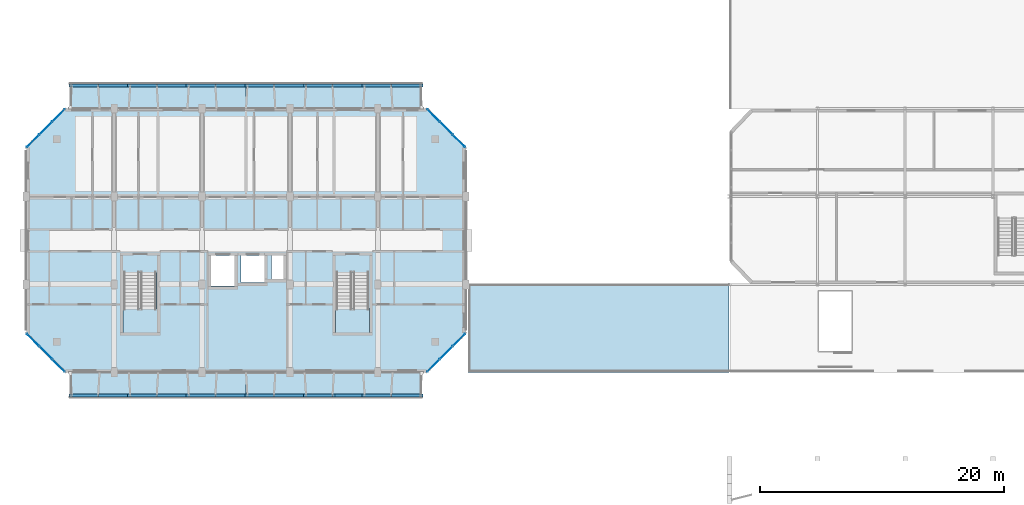
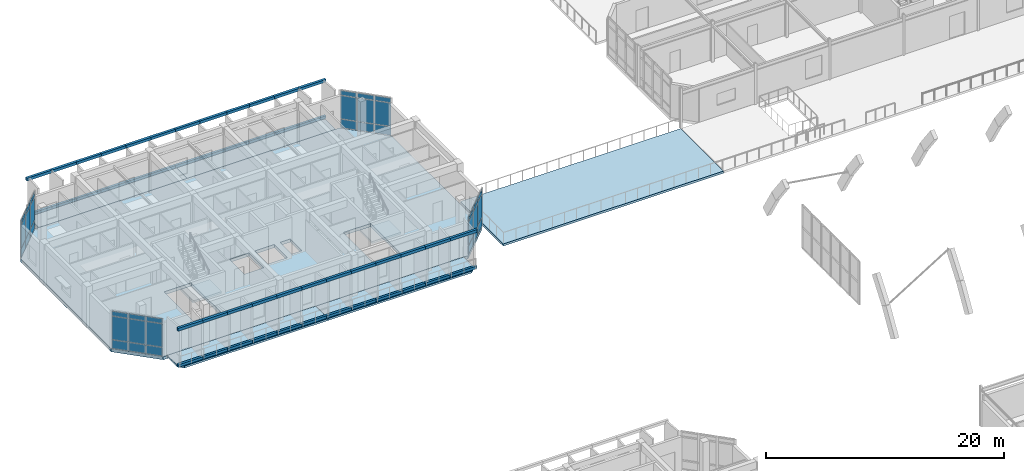
# One storey, part 38 of 85: 84 plates, 8 slabs, 6 elements without a shape of their own.
"""IFC4 building model written with IfcOpenShell, lengths in metres."""

from ifc_helpers import new_model, si_unit, direction, frame, origin, origin_2d, place, context, subcontext, project, spatial, polyline, rectangle, outline, extrude, material, layer, layer_set, type_object, element, aggregate, save


model = new_model("IFC4")

# Units and contexts
model_context = context("Model", 3, precision=1e-05, world=origin(), true_north=direction((0.0, 1.0)))
body_context = subcontext(model_context, "Body", "Model", "MODEL_VIEW")
ifc_project = project(units=[si_unit("LENGTHUNIT", "METRE"), si_unit("AREAUNIT", "SQUARE_METRE"), si_unit("VOLUMEUNIT", "CUBIC_METRE"), si_unit("PLANEANGLEUNIT", "RADIAN"), si_unit("MASSUNIT", "GRAM", prefix="KILO")], contexts=[model_context])

# Site, building, storey
site_placement = place(None, origin())
site = spatial("IfcSite", under=ifc_project, at=site_placement, CompositionType="ELEMENT")
building_placement = place(site_placement, origin())
building = spatial("IfcBuilding", under=site, at=building_placement, Name="Ochrevale Crest", CompositionType="ELEMENT")
storey_placement = place(building_placement, frame((0.0, 0.0, 4.5)))
storey = spatial("IfcBuildingStorey", under=building, at=storey_placement, Name="L01", CompositionType="ELEMENT", Elevation=4.5)

# Curtain wall, plates
ifc_material_1 = material(Name="Anodised aluminium 6063-T5", Category="aluminium")
ifc_layer_1 = layer(ifc_material_1, 0.14990234375)
ifc_layer_set_1 = layer_set([ifc_layer_1], Name="Anodised aluminium 6063-T5")
curtain_wall_type = type_object("IfcCurtainWallType", Name="CW-WG-360x385", PredefinedType="NOTDEFINED", material=ifc_layer_set_1)
curtain_wall_1_placement = place(storey_placement, origin())
curtain_wall_1 = element("IfcCurtainWall", 1, at=curtain_wall_1_placement, inside=storey, type_object=curtain_wall_type, Name="Block B L01 chamfered corner wintergarden curtain wall 2", PredefinedType="NOTDEFINED")
ifc_material_2 = material(Name="Acoustic laminated low-E insulated glass unit", Category="glass")
ifc_layer_2 = layer(ifc_material_2, 0.0380859375)
ifc_layer_set_2 = layer_set([ifc_layer_2], Name="Acoustic laminated low-E insulated glass unit")
plate_type_1 = type_object("IfcPlateType", Name="CW-PNL-IGU38", PredefinedType="CURTAIN_PANEL", material=ifc_layer_set_2)
plate_1_placement = place(storey_placement, frame((33.3466796875, 72.546630859375, 0.06005859375), z_axis=(0.0, 0.0, 1.0), x_axis=(0.707106781187, 0.707106781187, 0.0)))
plate_1 = element("IfcPlate", 2, at=plate_1_placement, type_object=plate_type_1, Name="CW20 panel 1.1", PredefinedType="CURTAIN_PANEL", context=body_context, shape_type="SweptSolid", body=[
    extrude(rectangle(XDim=1.39599609375, YDim=0.0380859375, at=origin_2d()), origin(), (0.0, 0.0, 1.0), 0.860107421875),
])
plate_2_placement = place(storey_placement, frame((33.3466796875, 72.546630859375, 0.97998046875), z_axis=(0.0, 0.0, 1.0), x_axis=(0.707106781187, 0.707106781187, 0.0)))
plate_2 = element("IfcPlate", 3, at=plate_2_placement, type_object=plate_type_1, Name="CW20 panel 1.2", PredefinedType="CURTAIN_PANEL", context=body_context, shape_type="SweptSolid", body=[
    extrude(rectangle(XDim=1.39599609375, YDim=0.0380859375, at=origin_2d()), origin(), (0.0, 0.0, 1.0), 2.364990234375),
])
plate_3_placement = place(storey_placement, frame((33.3466796875, 72.546630859375, 3.405029296875), z_axis=(0.0, 0.0, 1.0), x_axis=(0.707106781187, 0.707106781187, 0.0)))
plate_3 = element("IfcPlate", 4, at=plate_3_placement, type_object=plate_type_1, Name="CW20 panel 1.3", PredefinedType="CURTAIN_PANEL", context=body_context, shape_type="SweptSolid", body=[
    extrude(rectangle(XDim=1.39599609375, YDim=0.0380859375, at=origin_2d()), origin(), (0.0, 0.0, 1.0), 0.4599609375),
])
plate_4_placement = place(storey_placement, frame((34.39990234375, 73.60009765625, 0.06005859375), z_axis=(0.0, 0.0, 1.0), x_axis=(0.707106781187, 0.707106781187, 0.0)))
plate_4 = element("IfcPlate", 5, at=plate_4_placement, type_object=plate_type_1, Name="CW20 panel 2.1", PredefinedType="CURTAIN_PANEL", context=body_context, shape_type="SweptSolid", body=[
    extrude(rectangle(XDim=1.43359375, YDim=0.0380859375, at=origin_2d()), origin(), (0.0, 0.0, 1.0), 0.860107421875),
])
plate_5_placement = place(storey_placement, frame((34.39990234375, 73.60009765625, 0.97998046875), z_axis=(0.0, 0.0, 1.0), x_axis=(0.707106781187, 0.707106781187, 0.0)))
plate_5 = element("IfcPlate", 6, at=plate_5_placement, type_object=plate_type_1, Name="CW20 panel 2.2", PredefinedType="CURTAIN_PANEL", context=body_context, shape_type="SweptSolid", body=[
    extrude(rectangle(XDim=1.43359375, YDim=0.0380859375, at=origin_2d()), origin(), (0.0, 0.0, 1.0), 2.364990234375),
])
plate_6_placement = place(storey_placement, frame((34.39990234375, 73.60009765625, 3.405029296875), z_axis=(0.0, 0.0, 1.0), x_axis=(0.707106781187, 0.707106781187, 0.0)))
plate_6 = element("IfcPlate", 7, at=plate_6_placement, type_object=plate_type_1, Name="CW20 panel 2.3", PredefinedType="CURTAIN_PANEL", context=body_context, shape_type="SweptSolid", body=[
    extrude(rectangle(XDim=1.43359375, YDim=0.0380859375, at=origin_2d()), origin(), (0.0, 0.0, 1.0), 0.4599609375),
])
plate_7_placement = place(storey_placement, frame((35.453369140625, 74.6533203125, 0.06005859375), z_axis=(0.0, 0.0, 1.0), x_axis=(0.707106781187, 0.707106781187, 0.0)))
plate_7 = element("IfcPlate", 8, at=plate_7_placement, type_object=plate_type_1, Name="CW20 panel 3.1", PredefinedType="CURTAIN_PANEL", context=body_context, shape_type="SweptSolid", body=[
    extrude(rectangle(XDim=1.39599609375, YDim=0.0380859375, at=origin_2d()), origin(), (0.0, 0.0, 1.0), 0.860107421875),
])
plate_8_placement = place(storey_placement, frame((35.453369140625, 74.6533203125, 0.97998046875), z_axis=(0.0, 0.0, 1.0), x_axis=(0.707106781187, 0.707106781187, 0.0)))
plate_8 = element("IfcPlate", 9, at=plate_8_placement, type_object=plate_type_1, Name="CW20 panel 3.2", PredefinedType="CURTAIN_PANEL", context=body_context, shape_type="SweptSolid", body=[
    extrude(rectangle(XDim=1.39599609375, YDim=0.0380859375, at=origin_2d()), origin(), (0.0, 0.0, 1.0), 2.364990234375),
])
plate_9_placement = place(storey_placement, frame((35.453369140625, 74.6533203125, 3.405029296875), z_axis=(0.0, 0.0, 1.0), x_axis=(0.707106781187, 0.707106781187, 0.0)))
plate_9 = element("IfcPlate", 10, at=plate_9_placement, type_object=plate_type_1, Name="CW20 panel 3.3", PredefinedType="CURTAIN_PANEL", context=body_context, shape_type="SweptSolid", body=[
    extrude(rectangle(XDim=1.39599609375, YDim=0.0380859375, at=origin_2d()), origin(), (0.0, 0.0, 1.0), 0.4599609375),
])
aggregate(curtain_wall_1, [plate_1, plate_2, plate_3, plate_4, plate_5, plate_6, plate_7, plate_8, plate_9])

curtain_wall_2_placement = place(storey_placement, origin())
curtain_wall_2 = element("IfcCurtainWall", 11, at=curtain_wall_2_placement, inside=storey, type_object=curtain_wall_type, Name="Block B L01 chamfered corner wintergarden curtain wall 4", PredefinedType="NOTDEFINED")
plate_10_placement = place(storey_placement, frame((35.453369140625, 90.946533203125, 0.06005859375), z_axis=(0.0, 0.0, 1.0), x_axis=(-0.707106781187, 0.707106781187, 0.0)))
plate_10 = element("IfcPlate", 12, at=plate_10_placement, type_object=plate_type_1, Name="CW20 panel 1.1", PredefinedType="CURTAIN_PANEL", context=body_context, shape_type="SweptSolid", body=[
    extrude(rectangle(XDim=1.39599609375, YDim=0.0380859375, at=origin_2d()), origin(), (0.0, 0.0, 1.0), 0.860107421875),
])
plate_11_placement = place(storey_placement, frame((35.453369140625, 90.946533203125, 0.97998046875), z_axis=(0.0, 0.0, 1.0), x_axis=(-0.707106781187, 0.707106781187, 0.0)))
plate_11 = element("IfcPlate", 13, at=plate_11_placement, type_object=plate_type_1, Name="CW20 panel 1.2", PredefinedType="CURTAIN_PANEL", context=body_context, shape_type="SweptSolid", body=[
    extrude(rectangle(XDim=1.39599609375, YDim=0.0380859375, at=origin_2d()), origin(), (0.0, 0.0, 1.0), 2.364990234375),
])
plate_12_placement = place(storey_placement, frame((35.453369140625, 90.946533203125, 3.405029296875), z_axis=(0.0, 0.0, 1.0), x_axis=(-0.707106781187, 0.707106781187, 0.0)))
plate_12 = element("IfcPlate", 14, at=plate_12_placement, type_object=plate_type_1, Name="CW20 panel 1.3", PredefinedType="CURTAIN_PANEL", context=body_context, shape_type="SweptSolid", body=[
    extrude(rectangle(XDim=1.39599609375, YDim=0.0380859375, at=origin_2d()), origin(), (0.0, 0.0, 1.0), 0.4599609375),
])
plate_13_placement = place(storey_placement, frame((34.39990234375, 92.0, 0.06005859375), z_axis=(0.0, 0.0, 1.0), x_axis=(-0.707106781187, 0.707106781187, 0.0)))
plate_13 = element("IfcPlate", 15, at=plate_13_placement, type_object=plate_type_1, Name="CW20 panel 2.1", PredefinedType="CURTAIN_PANEL", context=body_context, shape_type="SweptSolid", body=[
    extrude(rectangle(XDim=1.43359375, YDim=0.0380859375, at=origin_2d()), origin(), (0.0, 0.0, 1.0), 0.860107421875),
])
plate_14_placement = place(storey_placement, frame((34.39990234375, 92.0, 0.97998046875), z_axis=(0.0, 0.0, 1.0), x_axis=(-0.707106781187, 0.707106781187, 0.0)))
plate_14 = element("IfcPlate", 16, at=plate_14_placement, type_object=plate_type_1, Name="CW20 panel 2.2", PredefinedType="CURTAIN_PANEL", context=body_context, shape_type="SweptSolid", body=[
    extrude(rectangle(XDim=1.43359375, YDim=0.0380859375, at=origin_2d()), origin(), (0.0, 0.0, 1.0), 2.364990234375),
])
plate_15_placement = place(storey_placement, frame((34.39990234375, 92.0, 3.405029296875), z_axis=(0.0, 0.0, 1.0), x_axis=(-0.707106781187, 0.707106781187, 0.0)))
plate_15 = element("IfcPlate", 17, at=plate_15_placement, type_object=plate_type_1, Name="CW20 panel 2.3", PredefinedType="CURTAIN_PANEL", context=body_context, shape_type="SweptSolid", body=[
    extrude(rectangle(XDim=1.43359375, YDim=0.0380859375, at=origin_2d()), origin(), (0.0, 0.0, 1.0), 0.4599609375),
])
plate_16_placement = place(storey_placement, frame((33.3466796875, 93.053466796875, 0.06005859375), z_axis=(0.0, 0.0, 1.0), x_axis=(-0.707106781187, 0.707106781187, 0.0)))
plate_16 = element("IfcPlate", 18, at=plate_16_placement, type_object=plate_type_1, Name="CW20 panel 3.1", PredefinedType="CURTAIN_PANEL", context=body_context, shape_type="SweptSolid", body=[
    extrude(rectangle(XDim=1.39599609375, YDim=0.0380859375, at=origin_2d()), origin(), (0.0, 0.0, 1.0), 0.860107421875),
])
plate_17_placement = place(storey_placement, frame((33.3466796875, 93.053466796875, 0.97998046875), z_axis=(0.0, 0.0, 1.0), x_axis=(-0.707106781187, 0.707106781187, 0.0)))
plate_17 = element("IfcPlate", 19, at=plate_17_placement, type_object=plate_type_1, Name="CW20 panel 3.2", PredefinedType="CURTAIN_PANEL", context=body_context, shape_type="SweptSolid", body=[
    extrude(rectangle(XDim=1.39599609375, YDim=0.0380859375, at=origin_2d()), origin(), (0.0, 0.0, 1.0), 2.364990234375),
])
plate_18_placement = place(storey_placement, frame((33.3466796875, 93.053466796875, 3.405029296875), z_axis=(0.0, 0.0, 1.0), x_axis=(-0.707106781187, 0.707106781187, 0.0)))
plate_18 = element("IfcPlate", 20, at=plate_18_placement, type_object=plate_type_1, Name="CW20 panel 3.3", PredefinedType="CURTAIN_PANEL", context=body_context, shape_type="SweptSolid", body=[
    extrude(rectangle(XDim=1.39599609375, YDim=0.0380859375, at=origin_2d()), origin(), (0.0, 0.0, 1.0), 0.4599609375),
])
aggregate(curtain_wall_2, [plate_10, plate_11, plate_12, plate_13, plate_14, plate_15, plate_16, plate_17, plate_18])

curtain_wall_3_placement = place(storey_placement, origin())
curtain_wall_3 = element("IfcCurtainWall", 21, at=curtain_wall_3_placement, inside=storey, type_object=curtain_wall_type, Name="Block B L01 chamfered corner wintergarden curtain wall 6", PredefinedType="NOTDEFINED")
plate_19_placement = place(storey_placement, frame((2.6533203125, 93.053466796875, 0.06005859375), z_axis=(0.0, 0.0, 1.0), x_axis=(-0.707106781187, -0.707106781187, 0.0)))
plate_19 = element("IfcPlate", 22, at=plate_19_placement, type_object=plate_type_1, Name="CW20 panel 1.1", PredefinedType="CURTAIN_PANEL", context=body_context, shape_type="SweptSolid", body=[
    extrude(rectangle(XDim=1.39599609375, YDim=0.0380859375, at=origin_2d()), origin(), (0.0, 0.0, 1.0), 0.860107421875),
])
plate_20_placement = place(storey_placement, frame((2.6533203125, 93.053466796875, 0.97998046875), z_axis=(0.0, 0.0, 1.0), x_axis=(-0.707106781187, -0.707106781187, 0.0)))
plate_20 = element("IfcPlate", 23, at=plate_20_placement, type_object=plate_type_1, Name="CW20 panel 1.2", PredefinedType="CURTAIN_PANEL", context=body_context, shape_type="SweptSolid", body=[
    extrude(rectangle(XDim=1.39599609375, YDim=0.0380859375, at=origin_2d()), origin(), (0.0, 0.0, 1.0), 2.364990234375),
])
plate_21_placement = place(storey_placement, frame((2.6533203125, 93.053466796875, 3.405029296875), z_axis=(0.0, 0.0, 1.0), x_axis=(-0.707106781187, -0.707106781187, 0.0)))
plate_21 = element("IfcPlate", 24, at=plate_21_placement, type_object=plate_type_1, Name="CW20 panel 1.3", PredefinedType="CURTAIN_PANEL", context=body_context, shape_type="SweptSolid", body=[
    extrude(rectangle(XDim=1.39599609375, YDim=0.0380859375, at=origin_2d()), origin(), (0.0, 0.0, 1.0), 0.4599609375),
])
plate_22_placement = place(storey_placement, frame((1.60009765625, 92.0, 0.06005859375), z_axis=(0.0, 0.0, 1.0), x_axis=(-0.707106781187, -0.707106781187, 0.0)))
plate_22 = element("IfcPlate", 25, at=plate_22_placement, type_object=plate_type_1, Name="CW20 panel 2.1", PredefinedType="CURTAIN_PANEL", context=body_context, shape_type="SweptSolid", body=[
    extrude(rectangle(XDim=1.43359375, YDim=0.0380859375, at=origin_2d()), origin(), (0.0, 0.0, 1.0), 0.860107421875),
])
plate_23_placement = place(storey_placement, frame((1.60009765625, 92.0, 0.97998046875), z_axis=(0.0, 0.0, 1.0), x_axis=(-0.707106781187, -0.707106781187, 0.0)))
plate_23 = element("IfcPlate", 26, at=plate_23_placement, type_object=plate_type_1, Name="CW20 panel 2.2", PredefinedType="CURTAIN_PANEL", context=body_context, shape_type="SweptSolid", body=[
    extrude(rectangle(XDim=1.43359375, YDim=0.0380859375, at=origin_2d()), origin(), (0.0, 0.0, 1.0), 2.364990234375),
])
plate_24_placement = place(storey_placement, frame((1.60009765625, 92.0, 3.405029296875), z_axis=(0.0, 0.0, 1.0), x_axis=(-0.707106781187, -0.707106781187, 0.0)))
plate_24 = element("IfcPlate", 27, at=plate_24_placement, type_object=plate_type_1, Name="CW20 panel 2.3", PredefinedType="CURTAIN_PANEL", context=body_context, shape_type="SweptSolid", body=[
    extrude(rectangle(XDim=1.43359375, YDim=0.0380859375, at=origin_2d()), origin(), (0.0, 0.0, 1.0), 0.4599609375),
])
plate_25_placement = place(storey_placement, frame((0.546630859375, 90.946533203125, 0.06005859375), z_axis=(0.0, 0.0, 1.0), x_axis=(-0.707106781187, -0.707106781187, 0.0)))
plate_25 = element("IfcPlate", 28, at=plate_25_placement, type_object=plate_type_1, Name="CW20 panel 3.1", PredefinedType="CURTAIN_PANEL", context=body_context, shape_type="SweptSolid", body=[
    extrude(rectangle(XDim=1.39599609375, YDim=0.0380859375, at=origin_2d()), origin(), (0.0, 0.0, 1.0), 0.860107421875),
])
plate_26_placement = place(storey_placement, frame((0.546630859375, 90.946533203125, 0.97998046875), z_axis=(0.0, 0.0, 1.0), x_axis=(-0.707106781187, -0.707106781187, 0.0)))
plate_26 = element("IfcPlate", 29, at=plate_26_placement, type_object=plate_type_1, Name="CW20 panel 3.2", PredefinedType="CURTAIN_PANEL", context=body_context, shape_type="SweptSolid", body=[
    extrude(rectangle(XDim=1.39599609375, YDim=0.0380859375, at=origin_2d()), origin(), (0.0, 0.0, 1.0), 2.364990234375),
])
plate_27_placement = place(storey_placement, frame((0.546630859375, 90.946533203125, 3.405029296875), z_axis=(0.0, 0.0, 1.0), x_axis=(-0.707106781187, -0.707106781187, 0.0)))
plate_27 = element("IfcPlate", 30, at=plate_27_placement, type_object=plate_type_1, Name="CW20 panel 3.3", PredefinedType="CURTAIN_PANEL", context=body_context, shape_type="SweptSolid", body=[
    extrude(rectangle(XDim=1.39599609375, YDim=0.0380859375, at=origin_2d()), origin(), (0.0, 0.0, 1.0), 0.4599609375),
])
aggregate(curtain_wall_3, [plate_19, plate_20, plate_21, plate_22, plate_23, plate_24, plate_25, plate_26, plate_27])

curtain_wall_4_placement = place(storey_placement, origin())
curtain_wall_4 = element("IfcCurtainWall", 31, at=curtain_wall_4_placement, inside=storey, type_object=curtain_wall_type, Name="Block B L01 chamfered corner wintergarden curtain wall 8", PredefinedType="NOTDEFINED")
plate_28_placement = place(storey_placement, frame((0.546630859375, 74.6533203125, 0.06005859375), z_axis=(0.0, 0.0, 1.0), x_axis=(0.707106781187, -0.707106781187, 0.0)))
plate_28 = element("IfcPlate", 32, at=plate_28_placement, type_object=plate_type_1, Name="CW20 panel 1.1", PredefinedType="CURTAIN_PANEL", context=body_context, shape_type="SweptSolid", body=[
    extrude(rectangle(XDim=1.39599609375, YDim=0.0380859375, at=origin_2d()), origin(), (0.0, 0.0, 1.0), 0.860107421875),
])
plate_29_placement = place(storey_placement, frame((0.546630859375, 74.6533203125, 0.97998046875), z_axis=(0.0, 0.0, 1.0), x_axis=(0.707106781187, -0.707106781187, 0.0)))
plate_29 = element("IfcPlate", 33, at=plate_29_placement, type_object=plate_type_1, Name="CW20 panel 1.2", PredefinedType="CURTAIN_PANEL", context=body_context, shape_type="SweptSolid", body=[
    extrude(rectangle(XDim=1.39599609375, YDim=0.0380859375, at=origin_2d()), origin(), (0.0, 0.0, 1.0), 2.364990234375),
])
plate_30_placement = place(storey_placement, frame((0.546630859375, 74.6533203125, 3.405029296875), z_axis=(0.0, 0.0, 1.0), x_axis=(0.707106781187, -0.707106781187, 0.0)))
plate_30 = element("IfcPlate", 34, at=plate_30_placement, type_object=plate_type_1, Name="CW20 panel 1.3", PredefinedType="CURTAIN_PANEL", context=body_context, shape_type="SweptSolid", body=[
    extrude(rectangle(XDim=1.39599609375, YDim=0.0380859375, at=origin_2d()), origin(), (0.0, 0.0, 1.0), 0.4599609375),
])
plate_31_placement = place(storey_placement, frame((1.60009765625, 73.60009765625, 0.06005859375), z_axis=(0.0, 0.0, 1.0), x_axis=(0.707106781187, -0.707106781187, 0.0)))
plate_31 = element("IfcPlate", 35, at=plate_31_placement, type_object=plate_type_1, Name="CW20 panel 2.1", PredefinedType="CURTAIN_PANEL", context=body_context, shape_type="SweptSolid", body=[
    extrude(rectangle(XDim=1.43359375, YDim=0.0380859375, at=origin_2d()), origin(), (0.0, 0.0, 1.0), 0.860107421875),
])
plate_32_placement = place(storey_placement, frame((1.60009765625, 73.60009765625, 0.97998046875), z_axis=(0.0, 0.0, 1.0), x_axis=(0.707106781187, -0.707106781187, 0.0)))
plate_32 = element("IfcPlate", 36, at=plate_32_placement, type_object=plate_type_1, Name="CW20 panel 2.2", PredefinedType="CURTAIN_PANEL", context=body_context, shape_type="SweptSolid", body=[
    extrude(rectangle(XDim=1.43359375, YDim=0.0380859375, at=origin_2d()), origin(), (0.0, 0.0, 1.0), 2.364990234375),
])
plate_33_placement = place(storey_placement, frame((1.60009765625, 73.60009765625, 3.405029296875), z_axis=(0.0, 0.0, 1.0), x_axis=(0.707106781187, -0.707106781187, 0.0)))
plate_33 = element("IfcPlate", 37, at=plate_33_placement, type_object=plate_type_1, Name="CW20 panel 2.3", PredefinedType="CURTAIN_PANEL", context=body_context, shape_type="SweptSolid", body=[
    extrude(rectangle(XDim=1.43359375, YDim=0.0380859375, at=origin_2d()), origin(), (0.0, 0.0, 1.0), 0.4599609375),
])
plate_34_placement = place(storey_placement, frame((2.6533203125, 72.546630859375, 0.06005859375), z_axis=(0.0, 0.0, 1.0), x_axis=(0.707106781187, -0.707106781187, 0.0)))
plate_34 = element("IfcPlate", 38, at=plate_34_placement, type_object=plate_type_1, Name="CW20 panel 3.1", PredefinedType="CURTAIN_PANEL", context=body_context, shape_type="SweptSolid", body=[
    extrude(rectangle(XDim=1.39599609375, YDim=0.0380859375, at=origin_2d()), origin(), (0.0, 0.0, 1.0), 0.860107421875),
])
plate_35_placement = place(storey_placement, frame((2.6533203125, 72.546630859375, 0.97998046875), z_axis=(0.0, 0.0, 1.0), x_axis=(0.707106781187, -0.707106781187, 0.0)))
plate_35 = element("IfcPlate", 39, at=plate_35_placement, type_object=plate_type_1, Name="CW20 panel 3.2", PredefinedType="CURTAIN_PANEL", context=body_context, shape_type="SweptSolid", body=[
    extrude(rectangle(XDim=1.39599609375, YDim=0.0380859375, at=origin_2d()), origin(), (0.0, 0.0, 1.0), 2.364990234375),
])
plate_36_placement = place(storey_placement, frame((2.6533203125, 72.546630859375, 3.405029296875), z_axis=(0.0, 0.0, 1.0), x_axis=(0.707106781187, -0.707106781187, 0.0)))
plate_36 = element("IfcPlate", 40, at=plate_36_placement, type_object=plate_type_1, Name="CW20 panel 3.3", PredefinedType="CURTAIN_PANEL", context=body_context, shape_type="SweptSolid", body=[
    extrude(rectangle(XDim=1.39599609375, YDim=0.0380859375, at=origin_2d()), origin(), (0.0, 0.0, 1.0), 0.4599609375),
])
aggregate(curtain_wall_4, [plate_28, plate_29, plate_30, plate_31, plate_32, plate_33, plate_34, plate_35, plate_36])

# Plates
ifc_material_3 = material(Name="Precast concrete C40/50", Category="concrete")
ifc_layer_3 = layer(ifc_material_3, 0.06005859375)
ifc_layer_set_3 = layer_set([ifc_layer_3], Name="Precast concrete C40/50")
plate_type_2 = type_object("IfcPlateType", Name="PLT-HC-HEAD-60", PredefinedType="USERDEFINED", material=ifc_layer_set_3)
for number, where, z_axis, x_axis, name in (
    (41, (4.800048828125, 70.10009765625, 3.72021484375), (0.0, 0.0, 1.0), (1.0, 0.0, 0.0), "Block B L01 S honeycomb arched lintel fascia 1"),
    (42, (7.199951171875, 70.10009765625, 3.72021484375), (0.0, 0.0, 1.0), (1.0, 0.0, 0.0), "Block B L01 S honeycomb arched lintel fascia 2"),
    (43, (9.60009765625, 70.10009765625, 3.72021484375), (0.0, 0.0, 1.0), (1.0, 0.0, 0.0), "Block B L01 S honeycomb arched lintel fascia 3"),
    (44, (12.0, 70.10009765625, 3.72021484375), (0.0, 0.0, 1.0), (1.0, 0.0, 0.0), "Block B L01 S honeycomb arched lintel fascia 4"),
    (45, (14.39990234375, 70.10009765625, 3.72021484375), (0.0, 0.0, 1.0), (1.0, 0.0, 0.0), "Block B L01 S honeycomb arched lintel fascia 5"),
    (46, (16.800048828125, 70.10009765625, 3.72021484375), (0.0, 0.0, 1.0), (1.0, 0.0, 0.0), "Block B L01 S honeycomb arched lintel fascia 6"),
    (47, (19.199951171875, 70.10009765625, 3.72021484375), (0.0, 0.0, 1.0), (1.0, 0.0, 0.0), "Block B L01 S honeycomb arched lintel fascia 7"),
    (48, (21.60009765625, 70.10009765625, 3.72021484375), (0.0, 0.0, 1.0), (1.0, 0.0, 0.0), "Block B L01 S honeycomb arched lintel fascia 8"),
    (49, (24.0, 70.10009765625, 3.72021484375), (0.0, 0.0, 1.0), (1.0, 0.0, 0.0), "Block B L01 S honeycomb arched lintel fascia 9"),
    (50, (26.39990234375, 70.10009765625, 3.72021484375), (0.0, 0.0, 1.0), (1.0, 0.0, 0.0), "Block B L01 S honeycomb arched lintel fascia 10"),
    (51, (28.800048828125, 70.10009765625, 3.72021484375), (0.0, 0.0, 1.0), (1.0, 0.0, 0.0), "Block B L01 S honeycomb arched lintel fascia 11"),
    (52, (31.199951171875, 70.10009765625, 3.72021484375), (0.0, 0.0, 1.0), (1.0, 0.0, 0.0), "Block B L01 S honeycomb arched lintel fascia 12"),
    (53, (4.800048828125, 95.5, 3.72021484375), (0.0, 0.0, 1.0), (1.0, 0.0, 0.0), "Block B L01 N honeycomb arched lintel fascia 1"),
    (54, (7.199951171875, 95.5, 3.72021484375), (0.0, 0.0, 1.0), (1.0, 0.0, 0.0), "Block B L01 N honeycomb arched lintel fascia 2"),
    (55, (9.60009765625, 95.5, 3.72021484375), (0.0, 0.0, 1.0), (1.0, 0.0, 0.0), "Block B L01 N honeycomb arched lintel fascia 3"),
    (56, (12.0, 95.5, 3.72021484375), (0.0, 0.0, 1.0), (1.0, 0.0, 0.0), "Block B L01 N honeycomb arched lintel fascia 4"),
    (57, (14.39990234375, 95.5, 3.72021484375), (0.0, 0.0, 1.0), (1.0, 0.0, 0.0), "Block B L01 N honeycomb arched lintel fascia 5"),
    (58, (16.800048828125, 95.5, 3.72021484375), (0.0, 0.0, 1.0), (1.0, 0.0, 0.0), "Block B L01 N honeycomb arched lintel fascia 6"),
    (59, (19.199951171875, 95.5, 3.72021484375), (0.0, 0.0, 1.0), (1.0, 0.0, 0.0), "Block B L01 N honeycomb arched lintel fascia 7"),
    (60, (21.60009765625, 95.5, 3.72021484375), (0.0, 0.0, 1.0), (1.0, 0.0, 0.0), "Block B L01 N honeycomb arched lintel fascia 8"),
    (61, (24.0, 95.5, 3.72021484375), (0.0, 0.0, 1.0), (1.0, 0.0, 0.0), "Block B L01 N honeycomb arched lintel fascia 9"),
    (62, (26.39990234375, 95.5, 3.72021484375), (0.0, 0.0, 1.0), (1.0, 0.0, 0.0), "Block B L01 N honeycomb arched lintel fascia 10"),
    (63, (28.800048828125, 95.5, 3.72021484375), (0.0, 0.0, 1.0), (1.0, 0.0, 0.0), "Block B L01 N honeycomb arched lintel fascia 11"),
    (64, (31.199951171875, 95.5, 3.72021484375), (0.0, 0.0, 1.0), (1.0, 0.0, 0.0), "Block B L01 N honeycomb arched lintel fascia 12"),
):
    element("IfcPlate", number, at=place(storey_placement, frame(where, z_axis=z_axis, x_axis=x_axis)), inside=storey, type_object=plate_type_2, Name=name, ObjectType="FACADE FASCIA PLATE", PredefinedType="USERDEFINED", context=body_context, shape_type="SweptSolid", body=[
        extrude(rectangle(XDim=2.60009765625, YDim=0.239990234375, at=origin_2d()), origin(), (0.0, 0.0, 1.0), 0.280029296875),
    ])
ifc_layer_4 = layer(ifc_material_3, 0.044921875)
ifc_layer_set_4 = layer_set([ifc_layer_4], Name="Precast concrete C40/50")
plate_type_3 = type_object("IfcPlateType", Name="PLT-HC-SILL-45", PredefinedType="USERDEFINED", material=ifc_layer_set_4)
for number, where, z_axis, x_axis, name in (
    (65, (4.800048828125, 70.10009765625, 0.0), (0.0, 0.0, 1.0), (1.0, 0.0, 0.0), "Block B L01 S honeycomb sill coping plate 1"),
    (66, (7.199951171875, 70.10009765625, 0.0), (0.0, 0.0, 1.0), (1.0, 0.0, 0.0), "Block B L01 S honeycomb sill coping plate 2"),
    (67, (9.60009765625, 70.10009765625, 0.0), (0.0, 0.0, 1.0), (1.0, 0.0, 0.0), "Block B L01 S honeycomb sill coping plate 3"),
    (68, (12.0, 70.10009765625, 0.0), (0.0, 0.0, 1.0), (1.0, 0.0, 0.0), "Block B L01 S honeycomb sill coping plate 4"),
    (69, (14.39990234375, 70.10009765625, 0.0), (0.0, 0.0, 1.0), (1.0, 0.0, 0.0), "Block B L01 S honeycomb sill coping plate 5"),
    (70, (16.800048828125, 70.10009765625, 0.0), (0.0, 0.0, 1.0), (1.0, 0.0, 0.0), "Block B L01 S honeycomb sill coping plate 6"),
    (71, (19.199951171875, 70.10009765625, 0.0), (0.0, 0.0, 1.0), (1.0, 0.0, 0.0), "Block B L01 S honeycomb sill coping plate 7"),
    (72, (21.60009765625, 70.10009765625, 0.0), (0.0, 0.0, 1.0), (1.0, 0.0, 0.0), "Block B L01 S honeycomb sill coping plate 8"),
    (73, (24.0, 70.10009765625, 0.0), (0.0, 0.0, 1.0), (1.0, 0.0, 0.0), "Block B L01 S honeycomb sill coping plate 9"),
    (74, (26.39990234375, 70.10009765625, 0.0), (0.0, 0.0, 1.0), (1.0, 0.0, 0.0), "Block B L01 S honeycomb sill coping plate 10"),
    (75, (28.800048828125, 70.10009765625, 0.0), (0.0, 0.0, 1.0), (1.0, 0.0, 0.0), "Block B L01 S honeycomb sill coping plate 11"),
    (76, (31.199951171875, 70.10009765625, 0.0), (0.0, 0.0, 1.0), (1.0, 0.0, 0.0), "Block B L01 S honeycomb sill coping plate 12"),
    (77, (4.800048828125, 95.5, 0.0), (0.0, 0.0, 1.0), (1.0, 0.0, 0.0), "Block B L01 N honeycomb sill coping plate 1"),
    (78, (7.199951171875, 95.5, 0.0), (0.0, 0.0, 1.0), (1.0, 0.0, 0.0), "Block B L01 N honeycomb sill coping plate 2"),
    (79, (9.60009765625, 95.5, 0.0), (0.0, 0.0, 1.0), (1.0, 0.0, 0.0), "Block B L01 N honeycomb sill coping plate 3"),
    (80, (12.0, 95.5, 0.0), (0.0, 0.0, 1.0), (1.0, 0.0, 0.0), "Block B L01 N honeycomb sill coping plate 4"),
    (81, (14.39990234375, 95.5, 0.0), (0.0, 0.0, 1.0), (1.0, 0.0, 0.0), "Block B L01 N honeycomb sill coping plate 5"),
    (82, (16.800048828125, 95.5, 0.0), (0.0, 0.0, 1.0), (1.0, 0.0, 0.0), "Block B L01 N honeycomb sill coping plate 6"),
    (83, (19.199951171875, 95.5, 0.0), (0.0, 0.0, 1.0), (1.0, 0.0, 0.0), "Block B L01 N honeycomb sill coping plate 7"),
    (84, (21.60009765625, 95.5, 0.0), (0.0, 0.0, 1.0), (1.0, 0.0, 0.0), "Block B L01 N honeycomb sill coping plate 8"),
    (85, (24.0, 95.5, 0.0), (0.0, 0.0, 1.0), (1.0, 0.0, 0.0), "Block B L01 N honeycomb sill coping plate 9"),
    (86, (26.39990234375, 95.5, 0.0), (0.0, 0.0, 1.0), (1.0, 0.0, 0.0), "Block B L01 N honeycomb sill coping plate 10"),
    (87, (28.800048828125, 95.5, 0.0), (0.0, 0.0, 1.0), (1.0, 0.0, 0.0), "Block B L01 N honeycomb sill coping plate 11"),
    (88, (31.199951171875, 95.5, 0.0), (0.0, 0.0, 1.0), (1.0, 0.0, 0.0), "Block B L01 N honeycomb sill coping plate 12"),
):
    element("IfcPlate", number, at=place(storey_placement, frame(where, z_axis=z_axis, x_axis=x_axis)), inside=storey, type_object=plate_type_3, Name=name, ObjectType="SILL COPING PLATE", PredefinedType="USERDEFINED", context=body_context, shape_type="SweptSolid", body=[
        extrude(rectangle(XDim=2.60009765625, YDim=0.219970703125, at=origin_2d()), origin(), (0.0, 0.0, 1.0), 0.260009765625),
    ])

# Slabs
ifc_layer_5 = layer(ifc_material_3, 0.199951171875)
ifc_layer_set_5 = layer_set([ifc_layer_5], Name="Precast concrete C40/50")
slab_type_1 = type_object("IfcSlabType", Name="SLB-BAL-200", PredefinedType="FLOOR", material=ifc_layer_set_5)
slab_1_placement = place(storey_placement, frame((0.0, 0.0, -0.199951171875)))
element("IfcSlab", 89, at=slab_1_placement, inside=storey, type_object=slab_type_1, Name="Block B L01 S1 precast loggia balcony slab", PredefinedType="FLOOR", context=body_context, shape_type="SweptSolid", body=[
    extrude(outline(polyline([(4.050048828125, 69.89990234375), (18.0, 69.89990234375), (18.0, 72.0), (3.60009765625, 72.0), (3.60009765625, 70.35009765625), (4.050048828125, 69.89990234375)])), origin(), (0.0, 0.0, 1.0), 0.199951171875),
])
slab_2_placement = place(storey_placement, frame((0.0, 0.0, -0.199951171875)))
element("IfcSlab", 90, at=slab_2_placement, inside=storey, type_object=slab_type_1, Name="Block B L01 S2 precast loggia balcony slab", PredefinedType="FLOOR", context=body_context, shape_type="SweptSolid", body=[
    extrude(outline(polyline([(18.0, 69.89990234375), (31.949951171875, 69.89990234375), (32.39990234375, 70.35009765625), (32.39990234375, 72.0), (18.0, 72.0), (18.0, 69.89990234375)])), origin(), (0.0, 0.0, 1.0), 0.199951171875),
])
slab_3_placement = place(storey_placement, frame((0.0, 0.0, -0.199951171875)))
element("IfcSlab", 91, at=slab_3_placement, inside=storey, type_object=slab_type_1, Name="Block B L01 N1 precast loggia balcony slab", PredefinedType="FLOOR", context=body_context, shape_type="SweptSolid", body=[
    extrude(outline(polyline([(3.60009765625, 93.60009765625), (18.0, 93.60009765625), (18.0, 95.699951171875), (4.050048828125, 95.699951171875), (3.60009765625, 95.25), (3.60009765625, 93.60009765625)])), origin(), (0.0, 0.0, 1.0), 0.199951171875),
])
slab_4_placement = place(storey_placement, frame((0.0, 0.0, -0.199951171875)))
element("IfcSlab", 92, at=slab_4_placement, inside=storey, type_object=slab_type_1, Name="Block B L01 N2 precast loggia balcony slab", PredefinedType="FLOOR", context=body_context, shape_type="SweptSolid", body=[
    extrude(outline(polyline([(18.0, 93.60009765625), (32.39990234375, 93.60009765625), (32.39990234375, 95.25), (31.949951171875, 95.699951171875), (18.0, 95.699951171875), (18.0, 93.60009765625)])), origin(), (0.0, 0.0, 1.0), 0.199951171875),
])
ifc_layer_6 = layer(ifc_material_3, 0.324951171875)
ifc_layer_set_6 = layer_set([ifc_layer_6], Name="Precast concrete C40/50")
slab_type_2 = type_object("IfcSlabType", Name="SLB-POD-325", PredefinedType="FLOOR", material=ifc_layer_set_6)
slab_5_placement = place(storey_placement, frame((0.0, 0.0, -0.324951171875)))
element("IfcSlab", 93, at=slab_5_placement, inside=storey, type_object=slab_type_2, Name="Block B L01 composite hollowcore floor slab", PredefinedType="FLOOR", context=body_context, shape_type="SweptSolid", body=[
    extrude(outline(polyline([(3.199951171875, 72.0), (32.800048828125, 72.0), (36.0, 75.199951171875), (36.0, 90.39990234375), (32.800048828125, 93.60009765625), (3.199951171875, 93.60009765625), (0.0, 90.39990234375), (0.0, 75.199951171875), (3.199951171875, 72.0)]), holes=[polyline([(8.0, 80.175048828125), (8.0, 75.27490234375), (10.64990234375, 75.27490234375), (10.64990234375, 80.175048828125), (8.0, 80.175048828125)]), polyline([(25.39990234375, 80.175048828125), (25.39990234375, 75.27490234375), (28.050048828125, 75.27490234375), (28.050048828125, 80.175048828125), (25.39990234375, 80.175048828125)]), polyline([(15.14990234375, 79.050048828125), (17.050048828125, 79.050048828125), (17.050048828125, 81.550048828125), (15.14990234375, 81.550048828125), (15.14990234375, 79.050048828125)]), polyline([(17.60009765625, 79.35009765625), (19.5, 79.35009765625), (19.5, 81.550048828125), (17.60009765625, 81.550048828125), (17.60009765625, 79.35009765625)]), polyline([(20.070068359375, 79.6201171875), (21.080078125, 79.6201171875), (21.080078125, 81.580078125), (20.070068359375, 81.580078125), (20.070068359375, 79.6201171875)])]), origin(), (0.0, 0.0, 1.0), 0.324951171875),
])

# Stair, slab
stair_type = type_object("IfcStairType", Name="ST-CORE-DOG", PredefinedType="HALF_TURN_STAIR", material=ifc_material_3)
stair_1_placement = place(storey_placement, origin())
stair_1 = element("IfcStair", 94, at=stair_1_placement, inside=storey, type_object=stair_type, Name="L01 Block B Fire Stair 1", PredefinedType="HALF_TURN_STAIR")
ifc_layer_7 = layer(ifc_material_3, 0.199951171875)
ifc_layer_set_7 = layer_set([ifc_layer_7], Name="Precast concrete C40/50")
slab_type_3 = type_object("IfcSlabType", Name="SLB-ST-LAND", PredefinedType="LANDING", material=ifc_layer_set_7)
slab_6_placement = place(storey_placement, frame((0.0, 0.0, 1.89990234375)))
slab_6 = element("IfcSlab", 95, at=slab_6_placement, type_object=slab_type_3, Name="ST-B1 landing 1", PredefinedType="LANDING", context=body_context, shape_type="SweptSolid", body=[
    extrude(outline(polyline([(7.919921875, 77.22509765625), (7.919921875, 75.195068359375), (10.72998046875, 75.195068359375), (10.72998046875, 77.22509765625), (7.919921875, 77.22509765625)])), origin(), (0.0, 0.0, 1.0), 0.2001953125),
])
aggregate(stair_1, [slab_6])

stair_2_placement = place(storey_placement, origin())
stair_2 = element("IfcStair", 96, at=stair_2_placement, inside=storey, type_object=stair_type, Name="L01 Block B Fire Stair 2", PredefinedType="HALF_TURN_STAIR")
slab_7_placement = place(storey_placement, frame((0.0, 0.0, 1.89990234375)))
slab_7 = element("IfcSlab", 97, at=slab_7_placement, type_object=slab_type_3, Name="ST-B2 landing 1", PredefinedType="LANDING", context=body_context, shape_type="SweptSolid", body=[
    extrude(outline(polyline([(25.320068359375, 77.22509765625), (25.320068359375, 75.195068359375), (28.1298828125, 75.195068359375), (28.1298828125, 77.22509765625), (25.320068359375, 77.22509765625)])), origin(), (0.0, 0.0, 1.0), 0.2001953125),
])
aggregate(stair_2, [slab_7])

# Slab
ifc_material_4 = material(Name="Concrete C40/50", Category="concrete")
ifc_layer_8 = layer(ifc_material_4, 0.22509765625)
ifc_layer_set_8 = layer_set([ifc_layer_8], Name="Concrete C40/50")
slab_type_4 = type_object("IfcSlabType", Name="SLB-TER-225", PredefinedType="FLOOR", material=ifc_layer_set_8)
slab_8_placement = place(storey_placement, frame((0.0, 0.0, -0.22509765625)))
element("IfcSlab", 98, at=slab_8_placement, inside=storey, type_object=slab_type_4, Name="Upper hillside nursery promenade terrace Step 3 W", PredefinedType="FLOOR", context=body_context, shape_type="SweptSolid", body=[
    extrude(outline(polyline([(36.199951171875, 72.0), (57.574951171875, 72.0), (57.574951171875, 79.199951171875), (36.199951171875, 79.199951171875), (36.199951171875, 72.0)])), origin(), (0.0, 0.0, 1.0), 0.22509765625),
])

save(model, "model.ifc")
